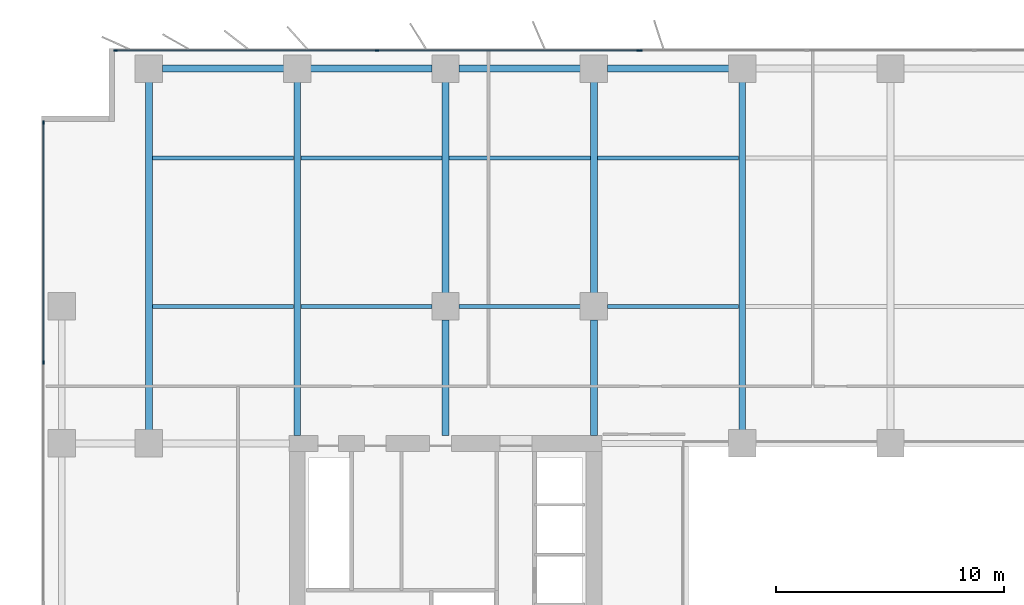
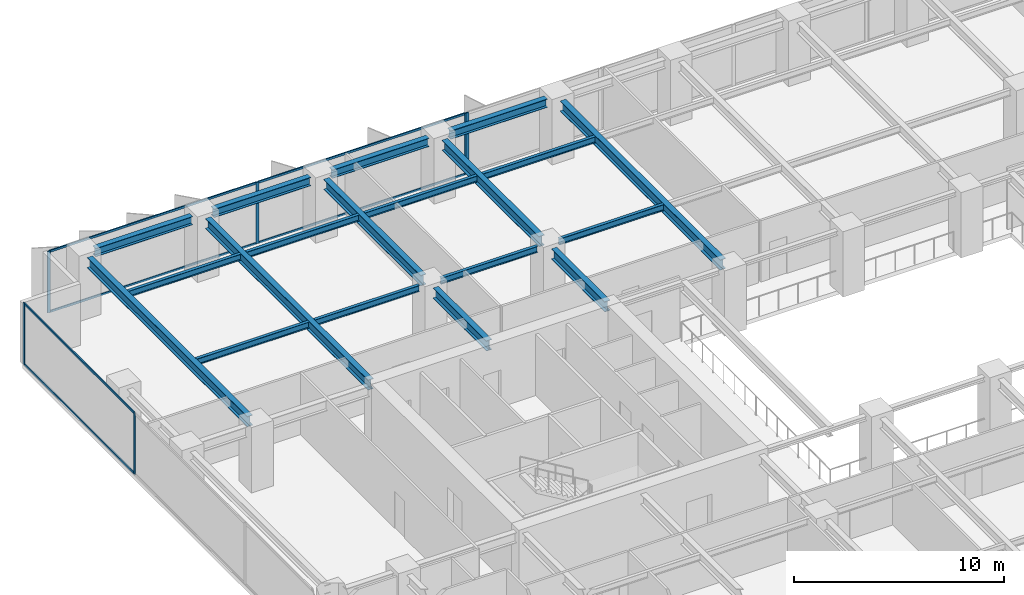
# One storey, part 7 of 20: 19 beams, 12 members, 3 elements without a shape of their own.
"""IFC4 building model written with IfcOpenShell, lengths in metres."""

from ifc_helpers import new_model, si_unit, direction, frame, origin, origin_2d, place, context, subcontext, project, spatial, rectangle, i_section, extrude, material, layer, layer_set, material_profile, profile_set, type_object, element, aggregate, save


model = new_model("IFC4")

# Units and contexts
model_context = context("Model", 3, precision=1e-05, world=origin(), true_north=direction((0.0, 1.0)))
body_context = subcontext(model_context, "Body", "Model", "MODEL_VIEW")
ifc_project = project(units=[si_unit("LENGTHUNIT", "METRE"), si_unit("AREAUNIT", "SQUARE_METRE"), si_unit("VOLUMEUNIT", "CUBIC_METRE"), si_unit("PLANEANGLEUNIT", "RADIAN"), si_unit("MASSUNIT", "GRAM", prefix="KILO")], contexts=[model_context])

# Site, building, storey
site_placement = place(None, origin())
site = spatial("IfcSite", under=ifc_project, at=site_placement, CompositionType="ELEMENT")
building_placement = place(site_placement, origin())
building = spatial("IfcBuilding", under=site, at=building_placement, Name="Putna Gate Headquarters", CompositionType="ELEMENT")
storey_placement = place(building_placement, frame((0.0, 0.0, 93.60009765625)))
storey = spatial("IfcBuildingStorey", under=building, at=storey_placement, Name="L22", CompositionType="ELEMENT", Elevation=93.60009765625)

# Beams
ifc_material_1 = material(Name="Steel S355J2", Category="steel")
ifc_material_profile_1 = material_profile(ifc_material_1, i_section(OverallWidth=0.300048828125, OverallDepth=0.60009765625, WebThickness=0.015380859375, FlangeThickness=0.030029296875, at=origin_2d()), Name="Steel S355J2")
ifc_profile_set_1 = profile_set([ifc_material_profile_1], Name="Steel S355J2")
beam_type_1 = type_object("IfcBeamType", Name="BM-GIRD-Z2-HEB600", PredefinedType="USERDEFINED", material=ifc_profile_set_1)
beam_1_placement = place(storey_placement, frame((6.5, 33.587890625, 3.264892578125), z_axis=(0.0, 1.0, 0.0), x_axis=(-1.0, 0.0, 0.0)))
element("IfcBeam", 1, at=beam_1_placement, inside=storey, type_object=beam_type_1, Name="L22 North Primary Girder X6", ObjectType="GIRDER", PredefinedType="USERDEFINED", context=body_context, shape_type="SweptSolid", body=[
    extrude(i_section(OverallWidth=0.300048828125, OverallDepth=0.60009765625, WebThickness=0.015380859375, FlangeThickness=0.030029296875, at=origin_2d()), origin(), (0.0, 0.0, 1.0), 15.244140625),
])
beam_2_placement = place(storey_placement, frame((13.0, 33.3349609375, 3.264892578125), z_axis=(0.0, 1.0, 0.0), x_axis=(-1.0, 0.0, 0.0)))
element("IfcBeam", 2, at=beam_2_placement, inside=storey, type_object=beam_type_1, Name="L22 North Primary Girder X13", ObjectType="GIRDER", PredefinedType="USERDEFINED", context=body_context, shape_type="SweptSolid", body=[
    extrude(i_section(OverallWidth=0.300048828125, OverallDepth=0.60009765625, WebThickness=0.015380859375, FlangeThickness=0.030029296875, at=origin_2d()), origin(), (0.0, 0.0, 1.0), 15.4970703125),
])
beam_3_placement = place(storey_placement, frame((19.5, 33.3349609375, 3.264892578125), z_axis=(0.0, 1.0, 0.0), x_axis=(-1.0, 0.0, 0.0)))
element("IfcBeam", 3, at=beam_3_placement, inside=storey, type_object=beam_type_1, Name="L22 North Primary Girder X19-1", ObjectType="GIRDER", PredefinedType="USERDEFINED", context=body_context, shape_type="SweptSolid", body=[
    extrude(i_section(OverallWidth=0.300048828125, OverallDepth=0.60009765625, WebThickness=0.015380859375, FlangeThickness=0.030029296875, at=origin_2d()), origin(), (0.0, 0.0, 1.0), 5.0771484375),
])
beam_4_placement = place(storey_placement, frame((19.5, 39.587890625, 3.264892578125), z_axis=(0.0, 1.0, 0.0), x_axis=(-1.0, 0.0, 0.0)))
element("IfcBeam", 4, at=beam_4_placement, inside=storey, type_object=beam_type_1, Name="L22 North Primary Girder X19-2", ObjectType="GIRDER", PredefinedType="USERDEFINED", context=body_context, shape_type="SweptSolid", body=[
    extrude(i_section(OverallWidth=0.300048828125, OverallDepth=0.60009765625, WebThickness=0.015380859375, FlangeThickness=0.030029296875, at=origin_2d()), origin(), (0.0, 0.0, 1.0), 9.244140625),
])
beam_5_placement = place(storey_placement, frame((26.0, 33.3349609375, 3.264892578125), z_axis=(0.0, 1.0, 0.0), x_axis=(-1.0, 0.0, 0.0)))
element("IfcBeam", 5, at=beam_5_placement, inside=storey, type_object=beam_type_1, Name="L22 North Primary Girder X26-1", ObjectType="GIRDER", PredefinedType="USERDEFINED", context=body_context, shape_type="SweptSolid", body=[
    extrude(i_section(OverallWidth=0.300048828125, OverallDepth=0.60009765625, WebThickness=0.015380859375, FlangeThickness=0.030029296875, at=origin_2d()), origin(), (0.0, 0.0, 1.0), 5.0771484375),
])
beam_6_placement = place(storey_placement, frame((26.0, 39.587890625, 3.264892578125), z_axis=(0.0, 1.0, 0.0), x_axis=(-1.0, 0.0, 0.0)))
element("IfcBeam", 6, at=beam_6_placement, inside=storey, type_object=beam_type_1, Name="L22 North Primary Girder X26-2", ObjectType="GIRDER", PredefinedType="USERDEFINED", context=body_context, shape_type="SweptSolid", body=[
    extrude(i_section(OverallWidth=0.300048828125, OverallDepth=0.60009765625, WebThickness=0.015380859375, FlangeThickness=0.030029296875, at=origin_2d()), origin(), (0.0, 0.0, 1.0), 9.244140625),
])
beam_7_placement = place(storey_placement, frame((32.5, 33.587890625, 3.264892578125), z_axis=(0.0, 1.0, 0.0), x_axis=(-1.0, 0.0, 0.0)))
element("IfcBeam", 7, at=beam_7_placement, inside=storey, type_object=beam_type_1, Name="L22 North Primary Girder X32", ObjectType="GIRDER", PredefinedType="USERDEFINED", context=body_context, shape_type="SweptSolid", body=[
    extrude(i_section(OverallWidth=0.300048828125, OverallDepth=0.60009765625, WebThickness=0.015380859375, FlangeThickness=0.030029296875, at=origin_2d()), origin(), (0.0, 0.0, 1.0), 15.244140625),
])
ifc_material_profile_2 = material_profile(ifc_material_1, i_section(OverallWidth=0.169921875, OverallDepth=0.360107421875, WebThickness=0.008056640625, FlangeThickness=0.0126953125, at=origin_2d()), Name="Steel S355J2")
ifc_profile_set_2 = profile_set([ifc_material_profile_2], Name="Steel S355J2")
beam_type_2 = type_object("IfcBeamType", Name="BM-SEC-Z2-IPE360", PredefinedType="BEAM", material=ifc_profile_set_2)
for number, where, z_axis, x_axis, name in (
    (8, (6.654052734375, 39.0, 3.385009765625), (1.0, 0.0, 0.0), (0.0, 1.0, 0.0), "L22 North Secondary Beam 1"),
    (9, (6.654052734375, 45.5, 3.385009765625), (1.0, 0.0, 0.0), (0.0, 1.0, 0.0), "L22 North Secondary Beam 1"),
):
    element("IfcBeam", number, at=place(storey_placement, frame(where, z_axis=z_axis, x_axis=x_axis)), inside=storey, type_object=beam_type_2, Name=name, PredefinedType="BEAM", context=body_context, shape_type="SweptSolid", body=[
        extrude(i_section(OverallWidth=0.169921875, OverallDepth=0.360107421875, WebThickness=0.008056640625, FlangeThickness=0.0126953125, at=origin_2d()), origin(), (0.0, 0.0, 1.0), 6.19189453125),
    ])
beam_8_placement = place(storey_placement, frame((13.154052734375, 39.0, 3.385009765625), z_axis=(1.0, 0.0, 0.0), x_axis=(0.0, 1.0, 0.0)))
element("IfcBeam", 10, at=beam_8_placement, inside=storey, type_object=beam_type_2, Name="L22 North Secondary Beam 2", PredefinedType="BEAM", context=body_context, shape_type="SweptSolid", body=[
    extrude(i_section(OverallWidth=0.169921875, OverallDepth=0.360107421875, WebThickness=0.008056640625, FlangeThickness=0.0126953125, at=origin_2d()), origin(), (0.0, 0.0, 1.0), 5.758056640625),
])
beam_9_placement = place(storey_placement, frame((13.154052734375, 45.5, 3.385009765625), z_axis=(1.0, 0.0, 0.0), x_axis=(0.0, 1.0, 0.0)))
element("IfcBeam", 11, at=beam_9_placement, inside=storey, type_object=beam_type_2, Name="L22 North Secondary Beam 2", PredefinedType="BEAM", context=body_context, shape_type="SweptSolid", body=[
    extrude(i_section(OverallWidth=0.169921875, OverallDepth=0.360107421875, WebThickness=0.008056640625, FlangeThickness=0.0126953125, at=origin_2d()), origin(), (0.0, 0.0, 1.0), 6.19189453125),
])
beam_10_placement = place(storey_placement, frame((20.087890625, 39.0, 3.385009765625), z_axis=(1.0, 0.0, 0.0), x_axis=(0.0, 1.0, 0.0)))
element("IfcBeam", 12, at=beam_10_placement, inside=storey, type_object=beam_type_2, Name="L22 North Secondary Beam 3", PredefinedType="BEAM", context=body_context, shape_type="SweptSolid", body=[
    extrude(i_section(OverallWidth=0.169921875, OverallDepth=0.360107421875, WebThickness=0.008056640625, FlangeThickness=0.0126953125, at=origin_2d()), origin(), (0.0, 0.0, 1.0), 5.32421875),
])
beam_11_placement = place(storey_placement, frame((19.654052734375, 45.5, 3.385009765625), z_axis=(1.0, 0.0, 0.0), x_axis=(0.0, 1.0, 0.0)))
element("IfcBeam", 13, at=beam_11_placement, inside=storey, type_object=beam_type_2, Name="L22 North Secondary Beam 3", PredefinedType="BEAM", context=body_context, shape_type="SweptSolid", body=[
    extrude(i_section(OverallWidth=0.169921875, OverallDepth=0.360107421875, WebThickness=0.008056640625, FlangeThickness=0.0126953125, at=origin_2d()), origin(), (0.0, 0.0, 1.0), 6.19189453125),
])
beam_12_placement = place(storey_placement, frame((26.587890625, 39.0, 3.385009765625), z_axis=(1.0, 0.0, 0.0), x_axis=(0.0, 1.0, 0.0)))
element("IfcBeam", 14, at=beam_12_placement, inside=storey, type_object=beam_type_2, Name="L22 North Secondary Beam 4", PredefinedType="BEAM", context=body_context, shape_type="SweptSolid", body=[
    extrude(i_section(OverallWidth=0.169921875, OverallDepth=0.360107421875, WebThickness=0.008056640625, FlangeThickness=0.0126953125, at=origin_2d()), origin(), (0.0, 0.0, 1.0), 5.758056640625),
])
beam_13_placement = place(storey_placement, frame((26.154052734375, 45.5, 3.385009765625), z_axis=(1.0, 0.0, 0.0), x_axis=(0.0, 1.0, 0.0)))
element("IfcBeam", 15, at=beam_13_placement, inside=storey, type_object=beam_type_2, Name="L22 North Secondary Beam 4", PredefinedType="BEAM", context=body_context, shape_type="SweptSolid", body=[
    extrude(i_section(OverallWidth=0.169921875, OverallDepth=0.360107421875, WebThickness=0.008056640625, FlangeThickness=0.0126953125, at=origin_2d()), origin(), (0.0, 0.0, 1.0), 6.19189453125),
])
ifc_material_profile_3 = material_profile(ifc_material_1, i_section(OverallWidth=0.300048828125, OverallDepth=0.489990234375, WebThickness=0.011962890625, FlangeThickness=0.02294921875, at=origin_2d()), Name="Steel S355J2")
ifc_profile_set_3 = profile_set([ifc_material_profile_3], Name="Steel S355J2")
beam_type_3 = type_object("IfcBeamType", Name="BM-SPAN-Z2-HEA500", PredefinedType="SPANDREL", material=ifc_profile_set_3)
for number, where, z_axis, x_axis, name in (
    (16, (7.087890625, 49.419921875, 3.31982421875), (1.0, 0.0, 0.0), (0.0, 1.0, 0.0), "L22 N Perimeter Spandrel 1"),
    (17, (13.587890625, 49.419921875, 3.31982421875), (1.0, 0.0, 0.0), (0.0, 1.0, 0.0), "L22 N Perimeter Spandrel 2"),
    (18, (20.087890625, 49.419921875, 3.31982421875), (1.0, 0.0, 0.0), (0.0, 1.0, 0.0), "L22 N Perimeter Spandrel 3"),
    (19, (26.587890625, 49.419921875, 3.31982421875), (1.0, 0.0, 0.0), (0.0, 1.0, 0.0), "L22 N Perimeter Spandrel 4"),
):
    element("IfcBeam", number, at=place(storey_placement, frame(where, z_axis=z_axis, x_axis=x_axis)), inside=storey, type_object=beam_type_3, Name=name, PredefinedType="SPANDREL", context=body_context, shape_type="SweptSolid", body=[
        extrude(i_section(OverallWidth=0.300048828125, OverallDepth=0.489990234375, WebThickness=0.011962890625, FlangeThickness=0.02294921875, at=origin_2d()), origin(), (0.0, 0.0, 1.0), 5.32421875),
    ])

# Curtain wall, members
ifc_material_2 = material(Name="Anodised bronze aluminium curtain wall", Category="aluminium")
ifc_layer_1 = layer(ifc_material_2, 0.159912109375)
ifc_layer_set_1 = layer_set([ifc_layer_1], Name="Anodised bronze aluminium curtain wall")
curtain_wall_type_1 = type_object("IfcCurtainWallType", Name="CW-SYS-Z2", PredefinedType="USERDEFINED", material=ifc_layer_set_1)
curtain_wall_1_placement = place(storey_placement, origin())
curtain_wall_1 = element("IfcCurtainWall", 20, at=curtain_wall_1_placement, inside=storey, type_object=curtain_wall_type_1, Name="L22 North West Curtain Wall", ObjectType="STICK CURTAIN WALL", PredefinedType="USERDEFINED")
ifc_material_3 = material(Name="Anodised bronze aluminium EN AW-6060", Category="aluminium")
ifc_material_profile_4 = material_profile(ifc_material_3, rectangle(XDim=0.06494140625, YDim=0.159912109375, at=origin_2d()), Name="Anodised bronze aluminium EN AW-6060")
ifc_profile_set_4 = profile_set([ifc_material_profile_4], Name="Anodised bronze aluminium EN AW-6060")
member_type_1 = type_object("IfcMemberType", Name="MULL-CWM-2", PredefinedType="MULLION", material=ifc_profile_set_4)
member_1_placement = place(storey_placement, frame((5.032470703125, 50.219970703125, 0.0), z_axis=(0.0, 0.0, 1.0), x_axis=(0.0, 1.0, 0.0)))
member_1 = element("IfcMember", 21, at=member_1_placement, type_object=member_type_1, Name="CWS-2 mullion 1", PredefinedType="MULLION", context=body_context, shape_type="SweptSolid", body=[
    extrude(rectangle(XDim=0.06494140625, YDim=0.159912109375, at=origin_2d()), origin(), (0.0, 0.0, 1.0), 3.56494140625),
])
member_2_placement = place(storey_placement, frame((16.5, 50.219970703125, 0.0), z_axis=(0.0, 0.0, 1.0), x_axis=(0.0, 1.0, 0.0)))
member_2 = element("IfcMember", 22, at=member_2_placement, type_object=member_type_1, Name="CWS-2 mullion 2", PredefinedType="MULLION", context=body_context, shape_type="SweptSolid", body=[
    extrude(rectangle(XDim=0.06494140625, YDim=0.159912109375, at=origin_2d()), origin(), (0.0, 0.0, 1.0), 3.56494140625),
])
member_3_placement = place(storey_placement, frame((27.967529296875, 50.219970703125, 0.0), z_axis=(0.0, 0.0, 1.0), x_axis=(0.0, 1.0, 0.0)))
member_3 = element("IfcMember", 23, at=member_3_placement, type_object=member_type_1, Name="CWS-2 mullion 3", PredefinedType="MULLION", context=body_context, shape_type="SweptSolid", body=[
    extrude(rectangle(XDim=0.06494140625, YDim=0.159912109375, at=origin_2d()), origin(), (0.0, 0.0, 1.0), 3.56494140625),
])

curtain_wall_2_placement = place(storey_placement, origin())
curtain_wall_2 = element("IfcCurtainWall", 24, at=curtain_wall_2_placement, inside=storey, type_object=curtain_wall_type_1, Name="L22 West Curtain Wall", ObjectType="STICK CURTAIN WALL", PredefinedType="USERDEFINED")
member_4_placement = place(storey_placement, frame((1.8798828125, 36.550048828125, 0.0), z_axis=(0.0, 0.0, 1.0), x_axis=(-1.0, 0.0, 0.0)))
member_4 = element("IfcMember", 25, at=member_4_placement, type_object=member_type_1, Name="CWS-2 mullion 4", PredefinedType="MULLION", context=body_context, shape_type="SweptSolid", body=[
    extrude(rectangle(XDim=0.06494140625, YDim=0.159912109375, at=origin_2d()), origin(), (0.0, 0.0, 1.0), 3.56494140625),
])
member_5_placement = place(storey_placement, frame((1.8798828125, 47.0673828125, 0.0), z_axis=(0.0, 0.0, 1.0), x_axis=(-1.0, 0.0, 0.0)))
member_5 = element("IfcMember", 26, at=member_5_placement, type_object=member_type_1, Name="CWS-2 mullion 5", PredefinedType="MULLION", context=body_context, shape_type="SweptSolid", body=[
    extrude(rectangle(XDim=0.06494140625, YDim=0.159912109375, at=origin_2d()), origin(), (0.0, 0.0, 1.0), 3.56494140625),
])

# Curtain wall, member
ifc_layer_2 = layer(ifc_material_2, 0.179931640625)
ifc_layer_set_2 = layer_set([ifc_layer_2], Name="Anodised bronze aluminium curtain wall")
curtain_wall_type_2 = type_object("IfcCurtainWallType", Name="CW-SYS-ATR", PredefinedType="USERDEFINED", material=ifc_layer_set_2)
curtain_wall_3_placement = place(storey_placement, origin())
curtain_wall_3 = element("IfcCurtainWall", 27, at=curtain_wall_3_placement, inside=storey, type_object=curtain_wall_type_2, Name="L22 North Atrium Clear Glazing", ObjectType="ATRIUM GLAZING", PredefinedType="USERDEFINED")
ifc_material_profile_5 = material_profile(ifc_material_3, rectangle(XDim=0.070068359375, YDim=0.179931640625, at=origin_2d()), Name="Anodised bronze aluminium EN AW-6060")
ifc_profile_set_5 = profile_set([ifc_material_profile_5], Name="Anodised bronze aluminium EN AW-6060")
member_type_2 = type_object("IfcMemberType", Name="MULL-CWM-AT", PredefinedType="MULLION", material=ifc_profile_set_5)
member_6_placement = place(storey_placement, frame((28.034912109375, 50.219970703125, 0.0), z_axis=(0.0, 0.0, 1.0), x_axis=(0.0, 1.0, 0.0)))
member_6 = element("IfcMember", 28, at=member_6_placement, type_object=member_type_2, Name="CWS-AT mullion 1", PredefinedType="MULLION", context=body_context, shape_type="SweptSolid", body=[
    extrude(rectangle(XDim=0.070068359375, YDim=0.179931640625, at=origin_2d()), origin(), (0.0, 0.0, 1.0), 3.56494140625),
])
aggregate(curtain_wall_3, [member_6])

# Member
ifc_material_profile_6 = material_profile(ifc_material_3, rectangle(XDim=0.06494140625, YDim=0.1201171875, at=origin_2d()), Name="Anodised bronze aluminium EN AW-6060")
ifc_profile_set_6 = profile_set([ifc_material_profile_6], Name="Anodised bronze aluminium EN AW-6060")
member_type_3 = type_object("IfcMemberType", Name="TRAN-CWT-2", PredefinedType="USERDEFINED", material=ifc_profile_set_6)
member_7_placement = place(storey_placement, frame((5.06494140625, 50.219970703125, 0.032470703125), z_axis=(1.0, 0.0, 0.0), x_axis=(0.0, 1.0, 0.0)))
member_7 = element("IfcMember", 29, at=member_7_placement, type_object=member_type_3, Name="CWS-2 transom 1.1", ObjectType="TRANSOM", PredefinedType="USERDEFINED", context=body_context, shape_type="SweptSolid", body=[
    extrude(rectangle(XDim=0.06494140625, YDim=0.1201171875, at=origin_2d()), origin(), (0.0, 0.0, 1.0), 11.402587890625),
])

member_8_placement = place(storey_placement, frame((5.06494140625, 50.219970703125, 3.532470703125), z_axis=(1.0, 0.0, 0.0), x_axis=(0.0, 1.0, 0.0)))
member_8 = element("IfcMember", 30, at=member_8_placement, type_object=member_type_3, Name="CWS-2 transom 1.2", ObjectType="TRANSOM", PredefinedType="USERDEFINED", context=body_context, shape_type="SweptSolid", body=[
    extrude(rectangle(XDim=0.06494140625, YDim=0.1201171875, at=origin_2d()), origin(), (0.0, 0.0, 1.0), 11.402587890625),
])

member_9_placement = place(storey_placement, frame((16.532470703125, 50.219970703125, 0.032470703125), z_axis=(1.0, 0.0, 0.0), x_axis=(0.0, 1.0, 0.0)))
member_9 = element("IfcMember", 31, at=member_9_placement, type_object=member_type_3, Name="CWS-2 transom 2.1", ObjectType="TRANSOM", PredefinedType="USERDEFINED", context=body_context, shape_type="SweptSolid", body=[
    extrude(rectangle(XDim=0.06494140625, YDim=0.1201171875, at=origin_2d()), origin(), (0.0, 0.0, 1.0), 11.402587890625),
])

member_10_placement = place(storey_placement, frame((16.532470703125, 50.219970703125, 3.532470703125), z_axis=(1.0, 0.0, 0.0), x_axis=(0.0, 1.0, 0.0)))
member_10 = element("IfcMember", 32, at=member_10_placement, type_object=member_type_3, Name="CWS-2 transom 2.2", ObjectType="TRANSOM", PredefinedType="USERDEFINED", context=body_context, shape_type="SweptSolid", body=[
    extrude(rectangle(XDim=0.06494140625, YDim=0.1201171875, at=origin_2d()), origin(), (0.0, 0.0, 1.0), 11.402587890625),
])

aggregate(curtain_wall_1, [member_1, member_2, member_3, member_7, member_8, member_9, member_10])

member_11_placement = place(storey_placement, frame((1.8798828125, 36.58251953125, 0.032470703125), z_axis=(0.0, 1.0, 0.0), x_axis=(-1.0, 0.0, 0.0)))
member_11 = element("IfcMember", 33, at=member_11_placement, type_object=member_type_3, Name="CWS-2 transom 4.1", ObjectType="TRANSOM", PredefinedType="USERDEFINED", context=body_context, shape_type="SweptSolid", body=[
    extrude(rectangle(XDim=0.06494140625, YDim=0.1201171875, at=origin_2d()), origin(), (0.0, 0.0, 1.0), 10.452392578125),
])

member_12_placement = place(storey_placement, frame((1.8798828125, 36.58251953125, 3.532470703125), z_axis=(0.0, 1.0, 0.0), x_axis=(-1.0, 0.0, 0.0)))
member_12 = element("IfcMember", 34, at=member_12_placement, type_object=member_type_3, Name="CWS-2 transom 4.2", ObjectType="TRANSOM", PredefinedType="USERDEFINED", context=body_context, shape_type="SweptSolid", body=[
    extrude(rectangle(XDim=0.06494140625, YDim=0.1201171875, at=origin_2d()), origin(), (0.0, 0.0, 1.0), 10.452392578125),
])

aggregate(curtain_wall_2, [member_4, member_5, member_11, member_12])

save(model, "model.ifc")
